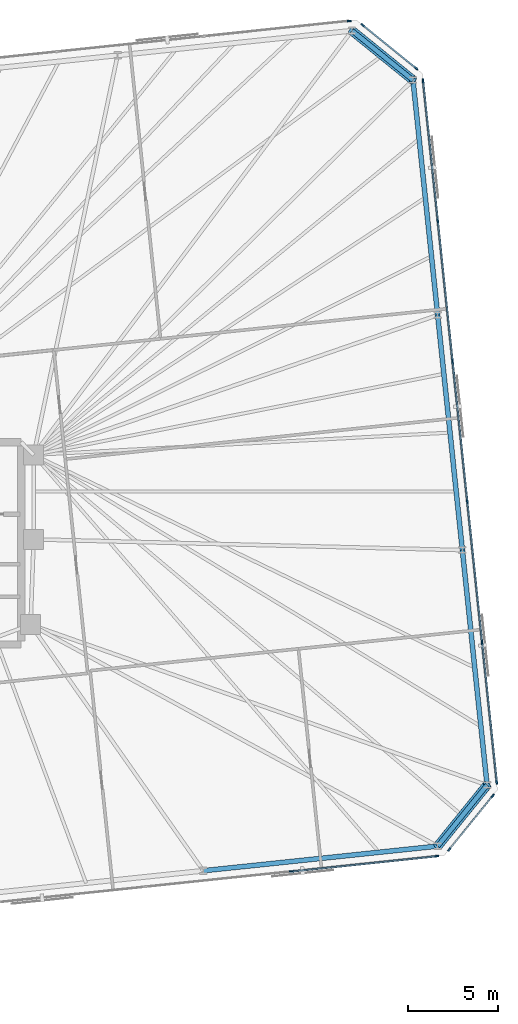
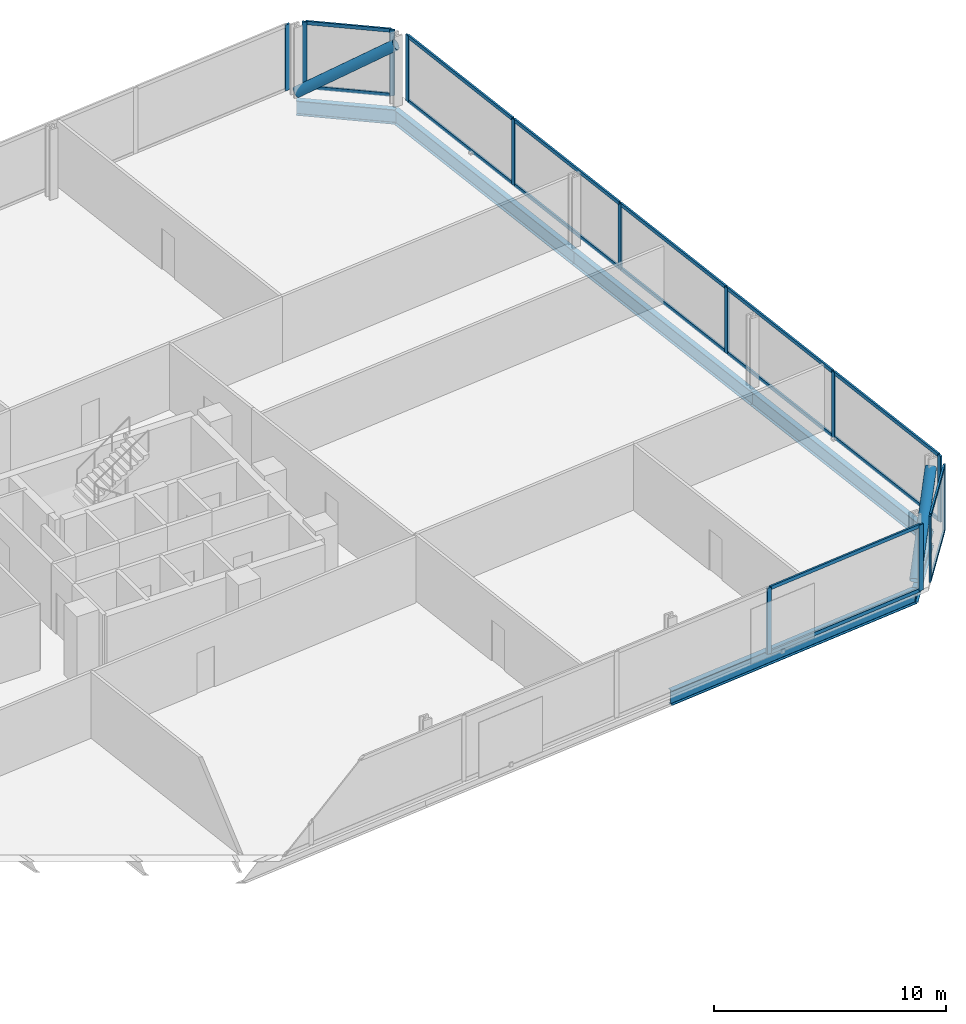
# One storey, part 12 of 18: 31 members, 6 beams, 5 elements without a shape of their own.
"""IFC4 building model written with IfcOpenShell, lengths in metres."""

from ifc_helpers import new_model, si_unit, direction, frame, origin, origin_2d, place, context, subcontext, project, spatial, rectangle, hollow_circle, i_section, extrude, material, material_profile, profile_set, type_object, element, aggregate, save


model = new_model("IFC4")

# Units and contexts
model_context = context("Model", 3, precision=1e-05, world=origin(), true_north=direction((0.0, 1.0)))
body_context = subcontext(model_context, "Body", "Model", "MODEL_VIEW")
ifc_project = project(units=[si_unit("LENGTHUNIT", "METRE"), si_unit("AREAUNIT", "SQUARE_METRE"), si_unit("VOLUMEUNIT", "CUBIC_METRE"), si_unit("PLANEANGLEUNIT", "RADIAN"), si_unit("MASSUNIT", "GRAM", prefix="KILO")], contexts=[model_context])

# Site, building, storey
site_placement = place(None, origin())
site = spatial("IfcSite", under=ifc_project, at=site_placement, CompositionType="ELEMENT")
building_placement = place(site_placement, origin())
building = spatial("IfcBuilding", under=site, at=building_placement, Name="Menara Jurai Vektor", CompositionType="ELEMENT")
storey_placement = place(building_placement, frame((0.0, 0.0, 94.800048828125)))
storey = spatial("IfcBuildingStorey", under=building, at=storey_placement, Name="L23", CompositionType="ELEMENT", Elevation=94.800048828125)

# Curtain wall, members
ifc_material_1 = material(Name="Anodised Pale Aluminium & Low-E Double Glazing", Category="aluminium")
curtain_wall_type = type_object("IfcCurtainWallType", Name="CW-BLK2", PredefinedType="NOTDEFINED", material=ifc_material_1)
curtain_wall_1_placement = place(storey_placement, origin())
curtain_wall_1 = element("IfcCurtainWall", 1, at=curtain_wall_1_placement, inside=storey, type_object=curtain_wall_type, Name="Unitised Curtain Wall L23 F01", PredefinedType="NOTDEFINED")
ifc_material_2 = material(Name="Anodised Pale Aluminium Mullion", Category="aluminium")
ifc_material_profile_1 = material_profile(ifc_material_2, rectangle(XDim=0.090087890625, YDim=0.219970703125, at=origin_2d()), Name="ALU MUL 90x220")
ifc_profile_set_1 = profile_set([ifc_material_profile_1], Name="Anodised Pale Aluminium Mullion")
member_type_1 = type_object("IfcMemberType", Name="CW-BLK2-MUL", PredefinedType="MULLION", material=ifc_profile_set_1)
member_1_placement = place(storey_placement, frame((29.52392578125, -18.169189453125, 0.0), z_axis=(0.0, 0.0, 1.0), x_axis=(-0.104528634935, 0.994521877325, 0.0)))
member_1 = element("IfcMember", 2, at=member_1_placement, type_object=member_type_1, Name="CW-02 mullion 8", PredefinedType="MULLION", context=body_context, shape_type="SweptSolid", body=[
    extrude(rectangle(XDim=0.090087890625, YDim=0.219970703125, at=origin_2d()), origin(), (0.0, 0.0, 1.0), 3.474853515625),
])
member_2_placement = place(storey_placement, frame((37.5771484375, -17.32275390625, 0.0), z_axis=(0.0, 0.0, 1.0), x_axis=(-0.104528634935, 0.994521877325, 0.0)))
member_2 = element("IfcMember", 3, at=member_2_placement, type_object=member_type_1, Name="CW-02 mullion 9", PredefinedType="MULLION", context=body_context, shape_type="SweptSolid", body=[
    extrude(rectangle(XDim=0.090087890625, YDim=0.219970703125, at=origin_2d()), origin(), (0.0, 0.0, 1.0), 3.474853515625),
])

curtain_wall_2_placement = place(storey_placement, origin())
curtain_wall_2 = element("IfcCurtainWall", 4, at=curtain_wall_2_placement, inside=storey, type_object=curtain_wall_type, Name="Unitised Curtain Wall L23 F02", PredefinedType="NOTDEFINED")
member_3_placement = place(storey_placement, frame((38.267333984375, -16.9482421875, 0.0), z_axis=(0.0, 0.0, 1.0), x_axis=(-0.777129222223, 0.62934106172, 0.0)))
member_3 = element("IfcMember", 5, at=member_3_placement, type_object=member_type_1, Name="CW-02 mullion 1", PredefinedType="MULLION", context=body_context, shape_type="SweptSolid", body=[
    extrude(rectangle(XDim=0.090087890625, YDim=0.219970703125, at=origin_2d()), origin(), (0.0, 0.0, 1.0), 3.474853515625),
])
member_4_placement = place(storey_placement, frame((40.66943359375, -13.98193359375, 0.0), z_axis=(0.0, 0.0, 1.0), x_axis=(-0.777129222223, 0.62934106172, 0.0)))
member_4 = element("IfcMember", 6, at=member_4_placement, type_object=member_type_1, Name="CW-02 mullion 2", PredefinedType="MULLION", context=body_context, shape_type="SweptSolid", body=[
    extrude(rectangle(XDim=0.090087890625, YDim=0.219970703125, at=origin_2d()), origin(), (0.0, 0.0, 1.0), 3.474853515625),
])

curtain_wall_3_placement = place(storey_placement, origin())
curtain_wall_3 = element("IfcCurtainWall", 7, at=curtain_wall_3_placement, inside=storey, type_object=curtain_wall_type, Name="Unitised Curtain Wall L23 F03", PredefinedType="NOTDEFINED")
member_5_placement = place(storey_placement, frame((40.892333984375, -13.22900390625, 0.0), z_axis=(0.0, 0.0, 1.0), x_axis=(-0.99452177832, -0.104529576902, 0.0)))
member_5 = element("IfcMember", 8, at=member_5_placement, type_object=member_type_1, Name="CW-02 mullion 1", PredefinedType="MULLION", context=body_context, shape_type="SweptSolid", body=[
    extrude(rectangle(XDim=0.090087890625, YDim=0.219970703125, at=origin_2d()), origin(), (0.0, 0.0, 1.0), 3.474853515625),
])
member_6_placement = place(storey_placement, frame((40.078857421875, -5.488525390625, 0.0), z_axis=(0.0, 0.0, 1.0), x_axis=(-0.99452177832, -0.104529576902, 0.0)))
member_6 = element("IfcMember", 9, at=member_6_placement, type_object=member_type_1, Name="CW-02 mullion 2", PredefinedType="MULLION", context=body_context, shape_type="SweptSolid", body=[
    extrude(rectangle(XDim=0.090087890625, YDim=0.219970703125, at=origin_2d()), origin(), (0.0, 0.0, 1.0), 3.474853515625),
])
member_7_placement = place(storey_placement, frame((39.260498046875, 2.296630859375, 0.0), z_axis=(0.0, 0.0, 1.0), x_axis=(-0.99452177832, -0.104529576902, 0.0)))
member_7 = element("IfcMember", 10, at=member_7_placement, type_object=member_type_1, Name="CW-02 mullion 3", PredefinedType="MULLION", context=body_context, shape_type="SweptSolid", body=[
    extrude(rectangle(XDim=0.090087890625, YDim=0.219970703125, at=origin_2d()), origin(), (0.0, 0.0, 1.0), 3.474853515625),
])
member_8_placement = place(storey_placement, frame((38.4423828125, 10.081787109375, 0.0), z_axis=(0.0, 0.0, 1.0), x_axis=(-0.99452177832, -0.104529576902, 0.0)))
member_8 = element("IfcMember", 11, at=member_8_placement, type_object=member_type_1, Name="CW-02 mullion 4", PredefinedType="MULLION", context=body_context, shape_type="SweptSolid", body=[
    extrude(rectangle(XDim=0.090087890625, YDim=0.219970703125, at=origin_2d()), origin(), (0.0, 0.0, 1.0), 3.474853515625),
])
member_9_placement = place(storey_placement, frame((37.6240234375, 17.866943359375, 0.0), z_axis=(0.0, 0.0, 1.0), x_axis=(-0.99452177832, -0.104529576902, 0.0)))
member_9 = element("IfcMember", 12, at=member_9_placement, type_object=member_type_1, Name="CW-02 mullion 5", PredefinedType="MULLION", context=body_context, shape_type="SweptSolid", body=[
    extrude(rectangle(XDim=0.090087890625, YDim=0.219970703125, at=origin_2d()), origin(), (0.0, 0.0, 1.0), 3.474853515625),
])
member_10_placement = place(storey_placement, frame((36.810546875, 25.607177734375, 0.0), z_axis=(0.0, 0.0, 1.0), x_axis=(-0.99452177832, -0.104529576902, 0.0)))
member_10 = element("IfcMember", 13, at=member_10_placement, type_object=member_type_1, Name="CW-02 mullion 6", PredefinedType="MULLION", context=body_context, shape_type="SweptSolid", body=[
    extrude(rectangle(XDim=0.090087890625, YDim=0.219970703125, at=origin_2d()), origin(), (0.0, 0.0, 1.0), 3.474853515625),
])

curtain_wall_4_placement = place(storey_placement, origin())
curtain_wall_4 = element("IfcCurtainWall", 14, at=curtain_wall_4_placement, inside=storey, type_object=curtain_wall_type, Name="Unitised Curtain Wall L23 F04", PredefinedType="NOTDEFINED")
member_11_placement = place(storey_placement, frame((36.435791015625, 26.29736328125, 0.0), z_axis=(0.0, 0.0, 1.0), x_axis=(-0.629313085353, -0.777151877437, 0.0)))
member_11 = element("IfcMember", 15, at=member_11_placement, type_object=member_type_1, Name="CW-02 mullion 1", PredefinedType="MULLION", context=body_context, shape_type="SweptSolid", body=[
    extrude(rectangle(XDim=0.090087890625, YDim=0.219970703125, at=origin_2d()), origin(), (0.0, 0.0, 1.0), 3.474853515625),
])
member_12_placement = place(storey_placement, frame((33.469482421875, 28.699462890625, 0.0), z_axis=(0.0, 0.0, 1.0), x_axis=(-0.629313085353, -0.777151877437, 0.0)))
member_12 = element("IfcMember", 16, at=member_12_placement, type_object=member_type_1, Name="CW-02 mullion 2", PredefinedType="MULLION", context=body_context, shape_type="SweptSolid", body=[
    extrude(rectangle(XDim=0.090087890625, YDim=0.219970703125, at=origin_2d()), origin(), (0.0, 0.0, 1.0), 3.474853515625),
])

# Curtain wall, member
curtain_wall_5_placement = place(storey_placement, origin())
curtain_wall_5 = element("IfcCurtainWall", 17, at=curtain_wall_5_placement, inside=storey, type_object=curtain_wall_type, Name="Unitised Curtain Wall L23 F05", PredefinedType="NOTDEFINED")
member_13_placement = place(storey_placement, frame((32.716552734375, 28.92236328125, 0.0), z_axis=(0.0, 0.0, 1.0), x_axis=(0.104528634935, -0.994521877325, 0.0)))
member_13 = element("IfcMember", 18, at=member_13_placement, type_object=member_type_1, Name="CW-02 mullion 1", PredefinedType="MULLION", context=body_context, shape_type="SweptSolid", body=[
    extrude(rectangle(XDim=0.090087890625, YDim=0.219970703125, at=origin_2d()), origin(), (0.0, 0.0, 1.0), 3.474853515625),
])
aggregate(curtain_wall_5, [member_13])

# Member
ifc_material_3 = material(Name="Anodised Pale Aluminium Transom", Category="aluminium")
ifc_material_profile_2 = material_profile(ifc_material_3, rectangle(XDim=0.090087890625, YDim=0.18505859375, at=origin_2d()), Name="ALU TRN 90x185")
ifc_profile_set_2 = profile_set([ifc_material_profile_2], Name="Anodised Pale Aluminium Transom")
member_type_2 = type_object("IfcMemberType", Name="CW-BLK2-TRN", PredefinedType="USERDEFINED", material=ifc_profile_set_2)
member_14_placement = place(storey_placement, frame((29.56884765625, -18.16455078125, 0.044921875), z_axis=(0.994519977808, 0.104546706027, 0.0), x_axis=(-0.104546706027, 0.994519977808, 0.0)))
member_14 = element("IfcMember", 19, at=member_14_placement, type_object=member_type_2, Name="CW-02 transom 8.1", ObjectType="TRANSOM", PredefinedType="USERDEFINED", context=body_context, shape_type="SweptSolid", body=[
    extrude(rectangle(XDim=0.090087890625, YDim=0.18505859375, at=origin_2d()), origin(), (0.0, 0.0, 1.0), 8.007568359375),
])

member_15_placement = place(storey_placement, frame((29.56884765625, -18.16455078125, 3.429931640625), z_axis=(0.994519977808, 0.104546706027, 0.0), x_axis=(-0.104546706027, 0.994519977808, 0.0)))
member_15 = element("IfcMember", 20, at=member_15_placement, type_object=member_type_2, Name="CW-02 transom 8.2", ObjectType="TRANSOM", PredefinedType="USERDEFINED", context=body_context, shape_type="SweptSolid", body=[
    extrude(rectangle(XDim=0.090087890625, YDim=0.18505859375, at=origin_2d()), origin(), (0.0, 0.0, 1.0), 8.007568359375),
])

aggregate(curtain_wall_1, [member_1, member_2, member_14, member_15])

member_16_placement = place(storey_placement, frame((38.295654296875, -16.9130859375, 0.044921875), z_axis=(0.6293414396, 0.777128916205, 0.0), x_axis=(-0.777128916205, 0.6293414396, 0.0)))
member_16 = element("IfcMember", 21, at=member_16_placement, type_object=member_type_2, Name="CW-02 transom 1.1", ObjectType="TRANSOM", PredefinedType="USERDEFINED", context=body_context, shape_type="SweptSolid", body=[
    extrude(rectangle(XDim=0.090087890625, YDim=0.18505859375, at=origin_2d()), origin(), (0.0, 0.0, 1.0), 3.726806640625),
])

member_17_placement = place(storey_placement, frame((38.295654296875, -16.9130859375, 3.429931640625), z_axis=(0.6293414396, 0.777128916205, 0.0), x_axis=(-0.777128916205, 0.6293414396, 0.0)))
member_17 = element("IfcMember", 22, at=member_17_placement, type_object=member_type_2, Name="CW-02 transom 1.2", ObjectType="TRANSOM", PredefinedType="USERDEFINED", context=body_context, shape_type="SweptSolid", body=[
    extrude(rectangle(XDim=0.090087890625, YDim=0.18505859375, at=origin_2d()), origin(), (0.0, 0.0, 1.0), 3.726806640625),
])

aggregate(curtain_wall_2, [member_3, member_4, member_16, member_17])

member_18_placement = place(storey_placement, frame((40.8876953125, -13.18408203125, 0.044921875), z_axis=(-0.104536105602, 0.994521092097, 0.0), x_axis=(-0.994521092097, -0.104536105602, 0.0)))
member_18 = element("IfcMember", 23, at=member_18_placement, type_object=member_type_2, Name="CW-02 transom 1.1", ObjectType="TRANSOM", PredefinedType="USERDEFINED", context=body_context, shape_type="SweptSolid", body=[
    extrude(rectangle(XDim=0.090087890625, YDim=0.18505859375, at=origin_2d()), origin(), (0.0, 0.0, 1.0), 7.693115234375),
])

member_19_placement = place(storey_placement, frame((40.8876953125, -13.18408203125, 3.429931640625), z_axis=(-0.104536105602, 0.994521092097, 0.0), x_axis=(-0.994521092097, -0.104536105602, 0.0)))
member_19 = element("IfcMember", 24, at=member_19_placement, type_object=member_type_2, Name="CW-02 transom 1.2", ObjectType="TRANSOM", PredefinedType="USERDEFINED", context=body_context, shape_type="SweptSolid", body=[
    extrude(rectangle(XDim=0.090087890625, YDim=0.18505859375, at=origin_2d()), origin(), (0.0, 0.0, 1.0), 7.693115234375),
])

member_20_placement = place(storey_placement, frame((40.07421875, -5.44384765625, 0.044921875), z_axis=(-0.104528756613, 0.994521864536, 0.0), x_axis=(-0.994521864536, -0.104528756613, 0.0)))
member_20 = element("IfcMember", 25, at=member_20_placement, type_object=member_type_2, Name="CW-02 transom 2.1", ObjectType="TRANSOM", PredefinedType="USERDEFINED", context=body_context, shape_type="SweptSolid", body=[
    extrude(rectangle(XDim=0.090087890625, YDim=0.18505859375, at=origin_2d()), origin(), (0.0, 0.0, 1.0), 7.738037109375),
])

member_21_placement = place(storey_placement, frame((40.07421875, -5.44384765625, 3.429931640625), z_axis=(-0.104528756613, 0.994521864536, 0.0), x_axis=(-0.994521864536, -0.104528756613, 0.0)))
member_21 = element("IfcMember", 26, at=member_21_placement, type_object=member_type_2, Name="CW-02 transom 2.2", ObjectType="TRANSOM", PredefinedType="USERDEFINED", context=body_context, shape_type="SweptSolid", body=[
    extrude(rectangle(XDim=0.090087890625, YDim=0.18505859375, at=origin_2d()), origin(), (0.0, 0.0, 1.0), 7.738037109375),
])

member_22_placement = place(storey_placement, frame((39.255859375, 2.34130859375, 0.044921875), z_axis=(-0.104528756613, 0.994521864536, 0.0), x_axis=(-0.994521864536, -0.104528756613, 0.0)))
member_22 = element("IfcMember", 27, at=member_22_placement, type_object=member_type_2, Name="CW-02 transom 3.1", ObjectType="TRANSOM", PredefinedType="USERDEFINED", context=body_context, shape_type="SweptSolid", body=[
    extrude(rectangle(XDim=0.090087890625, YDim=0.18505859375, at=origin_2d()), origin(), (0.0, 0.0, 1.0), 7.738037109375),
])

member_23_placement = place(storey_placement, frame((39.255859375, 2.34130859375, 3.429931640625), z_axis=(-0.104528756613, 0.994521864536, 0.0), x_axis=(-0.994521864536, -0.104528756613, 0.0)))
member_23 = element("IfcMember", 28, at=member_23_placement, type_object=member_type_2, Name="CW-02 transom 3.2", ObjectType="TRANSOM", PredefinedType="USERDEFINED", context=body_context, shape_type="SweptSolid", body=[
    extrude(rectangle(XDim=0.090087890625, YDim=0.18505859375, at=origin_2d()), origin(), (0.0, 0.0, 1.0), 7.738037109375),
])

member_24_placement = place(storey_placement, frame((38.4375, 10.12646484375, 0.044921875), z_axis=(-0.104528756613, 0.994521864536, 0.0), x_axis=(-0.994521864536, -0.104528756613, 0.0)))
member_24 = element("IfcMember", 29, at=member_24_placement, type_object=member_type_2, Name="CW-02 transom 4.1", ObjectType="TRANSOM", PredefinedType="USERDEFINED", context=body_context, shape_type="SweptSolid", body=[
    extrude(rectangle(XDim=0.090087890625, YDim=0.18505859375, at=origin_2d()), origin(), (0.0, 0.0, 1.0), 7.738037109375),
])

member_25_placement = place(storey_placement, frame((38.4375, 10.12646484375, 3.429931640625), z_axis=(-0.104528756613, 0.994521864536, 0.0), x_axis=(-0.994521864536, -0.104528756613, 0.0)))
member_25 = element("IfcMember", 30, at=member_25_placement, type_object=member_type_2, Name="CW-02 transom 4.2", ObjectType="TRANSOM", PredefinedType="USERDEFINED", context=body_context, shape_type="SweptSolid", body=[
    extrude(rectangle(XDim=0.090087890625, YDim=0.18505859375, at=origin_2d()), origin(), (0.0, 0.0, 1.0), 7.738037109375),
])

member_26_placement = place(storey_placement, frame((37.619384765625, 17.91162109375, 0.044921875), z_axis=(-0.104536105602, 0.994521092097, 0.0), x_axis=(-0.994521092097, -0.104536105602, 0.0)))
member_26 = element("IfcMember", 31, at=member_26_placement, type_object=member_type_2, Name="CW-02 transom 5.1", ObjectType="TRANSOM", PredefinedType="USERDEFINED", context=body_context, shape_type="SweptSolid", body=[
    extrude(rectangle(XDim=0.090087890625, YDim=0.18505859375, at=origin_2d()), origin(), (0.0, 0.0, 1.0), 7.693115234375),
])

member_27_placement = place(storey_placement, frame((37.619384765625, 17.91162109375, 3.429931640625), z_axis=(-0.104536105602, 0.994521092097, 0.0), x_axis=(-0.994521092097, -0.104536105602, 0.0)))
member_27 = element("IfcMember", 32, at=member_27_placement, type_object=member_type_2, Name="CW-02 transom 5.2", ObjectType="TRANSOM", PredefinedType="USERDEFINED", context=body_context, shape_type="SweptSolid", body=[
    extrude(rectangle(XDim=0.090087890625, YDim=0.18505859375, at=origin_2d()), origin(), (0.0, 0.0, 1.0), 7.693115234375),
])

aggregate(curtain_wall_3, [member_5, member_6, member_7, member_8, member_9, member_10, member_18, member_19, member_20, member_21, member_22, member_23, member_24, member_25, member_26, member_27])

member_28_placement = place(storey_placement, frame((36.40087890625, 26.32568359375, 0.044921875), z_axis=(-0.77715486027, 0.629309401772, 0.0), x_axis=(-0.629309401772, -0.77715486027, 0.0)))
member_28 = element("IfcMember", 33, at=member_28_placement, type_object=member_type_2, Name="CW-02 transom 1.1", ObjectType="TRANSOM", PredefinedType="USERDEFINED", context=body_context, shape_type="SweptSolid", body=[
    extrude(rectangle(XDim=0.090087890625, YDim=0.18505859375, at=origin_2d()), origin(), (0.0, 0.0, 1.0), 3.72705078125),
])

member_29_placement = place(storey_placement, frame((36.40087890625, 26.32568359375, 3.429931640625), z_axis=(-0.77715486027, 0.629309401772, 0.0), x_axis=(-0.629309401772, -0.77715486027, 0.0)))
member_29 = element("IfcMember", 34, at=member_29_placement, type_object=member_type_2, Name="CW-02 transom 1.2", ObjectType="TRANSOM", PredefinedType="USERDEFINED", context=body_context, shape_type="SweptSolid", body=[
    extrude(rectangle(XDim=0.090087890625, YDim=0.18505859375, at=origin_2d()), origin(), (0.0, 0.0, 1.0), 3.72705078125),
])

aggregate(curtain_wall_4, [member_11, member_12, member_28, member_29])

# Members
ifc_material_4 = material(Name="Steel S460", Category="steel")
ifc_material_profile_3 = material_profile(ifc_material_4, hollow_circle(Radius=0.25390625, WallThickness=0.02001953125, at=origin_2d()), Name="CHS 508x20")
ifc_profile_set_3 = profile_set([ifc_material_profile_3], Name="Steel S460")
member_type_3 = type_object("IfcMemberType", Name="STR-BR-508", PredefinedType="BRACE", material=ifc_profile_set_3)
for number, where, z_axis, x_axis, name in (
    (35, (37.621826171875, -16.76513671875, 0.14990234375), (0.519271719394, 0.641207846359, 0.564986176119), (-0.777127086072, 0.629343699494, 0.0), "Exoskeleton Corner Brace L23-1"),
    (36, (32.876220703125, 28.38623046875, 0.14990234375), (0.641207846359, -0.519271719394, 0.564986176119), (0.629343699494, 0.777127086072, 0.0), "Exoskeleton Corner Brace L23-2"),
):
    element("IfcMember", number, at=place(storey_placement, frame(where, z_axis=z_axis, x_axis=x_axis)), inside=storey, type_object=member_type_3, Name=name, PredefinedType="BRACE", context=body_context, shape_type="SweptSolid", body=[
        extrude(hollow_circle(Radius=0.25390625, WallThickness=0.02001953125, at=origin_2d()), origin(), (0.0, 0.0, 1.0), 5.265869140625),
    ])

# Beams
ifc_material_profile_4 = material_profile(ifc_material_4, i_section(OverallWidth=0.26806640625, OverallDepth=0.77001953125, WebThickness=0.01611328125, FlangeThickness=0.02490234375, FilletRadius=0.01708984375, at=origin_2d()), Name="UKB 762x267x197")
ifc_profile_set_4 = profile_set([ifc_material_profile_4], Name="Steel S460")
beam_type = type_object("IfcBeamType", Name="STR-SP-762", PredefinedType="SPANDREL", material=ifc_profile_set_4)
beam_1_placement = place(storey_placement, frame((24.64208984375, -18.12939453125, -0.610107421875), z_axis=(0.994521636083, 0.104530930169, 0.0), x_axis=(-0.104530930169, 0.994521636083, 0.0)))
element("IfcBeam", 37, at=beam_1_placement, inside=storey, type_object=beam_type, Name="Exoskeleton Spandrel Beam L23-05", PredefinedType="SPANDREL", context=body_context, shape_type="SweptSolid", body=[
    extrude(i_section(OverallWidth=0.26806640625, OverallDepth=0.77001953125, WebThickness=0.01611328125, FlangeThickness=0.02490234375, FilletRadius=0.01708984375, at=origin_2d()), origin(), (0.0, 0.0, 1.0), 13.05126953125),
])
beam_2_placement = place(storey_placement, frame((37.621826171875, -16.76513671875, -0.610107421875), z_axis=(0.629343699494, 0.777127086072, 0.0), x_axis=(-0.777127086072, 0.629343699494, 0.0)))
element("IfcBeam", 38, at=beam_2_placement, inside=storey, type_object=beam_type, Name="Exoskeleton Spandrel Beam L23-06", PredefinedType="SPANDREL", context=body_context, shape_type="SweptSolid", body=[
    extrude(i_section(OverallWidth=0.26806640625, OverallDepth=0.77001953125, WebThickness=0.01611328125, FlangeThickness=0.02490234375, FilletRadius=0.01708984375, at=origin_2d()), origin(), (0.0, 0.0, 1.0), 4.3447265625),
])
beam_3_placement = place(storey_placement, frame((40.356201171875, -13.388671875, -0.610107421875), z_axis=(-0.104538130097, 0.994520879296, 0.0), x_axis=(-0.994520879296, -0.104538130097, 0.0)))
element("IfcBeam", 39, at=beam_3_placement, inside=storey, type_object=beam_type, Name="Exoskeleton Spandrel Beam L23-07", PredefinedType="SPANDREL", context=body_context, shape_type="SweptSolid", body=[
    extrude(i_section(OverallWidth=0.26806640625, OverallDepth=0.77001953125, WebThickness=0.01611328125, FlangeThickness=0.02490234375, FilletRadius=0.01708984375, at=origin_2d()), origin(), (0.0, 0.0, 1.0), 13.08544921875),
])
beam_4_placement = place(storey_placement, frame((38.98828125, -0.375, -0.610107421875), z_axis=(-0.104521615846, 0.994522615037, 0.0), x_axis=(-0.994522615037, -0.104521615846, 0.0)))
element("IfcBeam", 40, at=beam_4_placement, inside=storey, type_object=beam_type, Name="Exoskeleton Spandrel Beam L23-08", PredefinedType="SPANDREL", context=body_context, shape_type="SweptSolid", body=[
    extrude(i_section(OverallWidth=0.26806640625, OverallDepth=0.77001953125, WebThickness=0.01611328125, FlangeThickness=0.02490234375, FilletRadius=0.01708984375, at=origin_2d()), origin(), (0.0, 0.0, 1.0), 13.085205078125),
])
beam_5_placement = place(storey_placement, frame((37.62060546875, 12.638427734375, -0.610107421875), z_axis=(-0.104538130097, 0.994520879296, 0.0), x_axis=(-0.994520879296, -0.104538130097, 0.0)))
element("IfcBeam", 41, at=beam_5_placement, inside=storey, type_object=beam_type, Name="Exoskeleton Spandrel Beam L23-09", PredefinedType="SPANDREL", context=body_context, shape_type="SweptSolid", body=[
    extrude(i_section(OverallWidth=0.26806640625, OverallDepth=0.77001953125, WebThickness=0.01611328125, FlangeThickness=0.02490234375, FilletRadius=0.01708984375, at=origin_2d()), origin(), (0.0, 0.0, 1.0), 13.08544921875),
])
beam_6_placement = place(storey_placement, frame((36.252685546875, 25.652099609375, -0.610107421875), z_axis=(-0.777154568396, 0.629309762217, 0.0), x_axis=(-0.629309762217, -0.777154568396, 0.0)))
element("IfcBeam", 42, at=beam_6_placement, inside=storey, type_object=beam_type, Name="Exoskeleton Spandrel Beam L23-10", PredefinedType="SPANDREL", context=body_context, shape_type="SweptSolid", body=[
    extrude(i_section(OverallWidth=0.26806640625, OverallDepth=0.77001953125, WebThickness=0.01611328125, FlangeThickness=0.02490234375, FilletRadius=0.01708984375, at=origin_2d()), origin(), (0.0, 0.0, 1.0), 4.3447265625),
])

save(model, "model.ifc")
